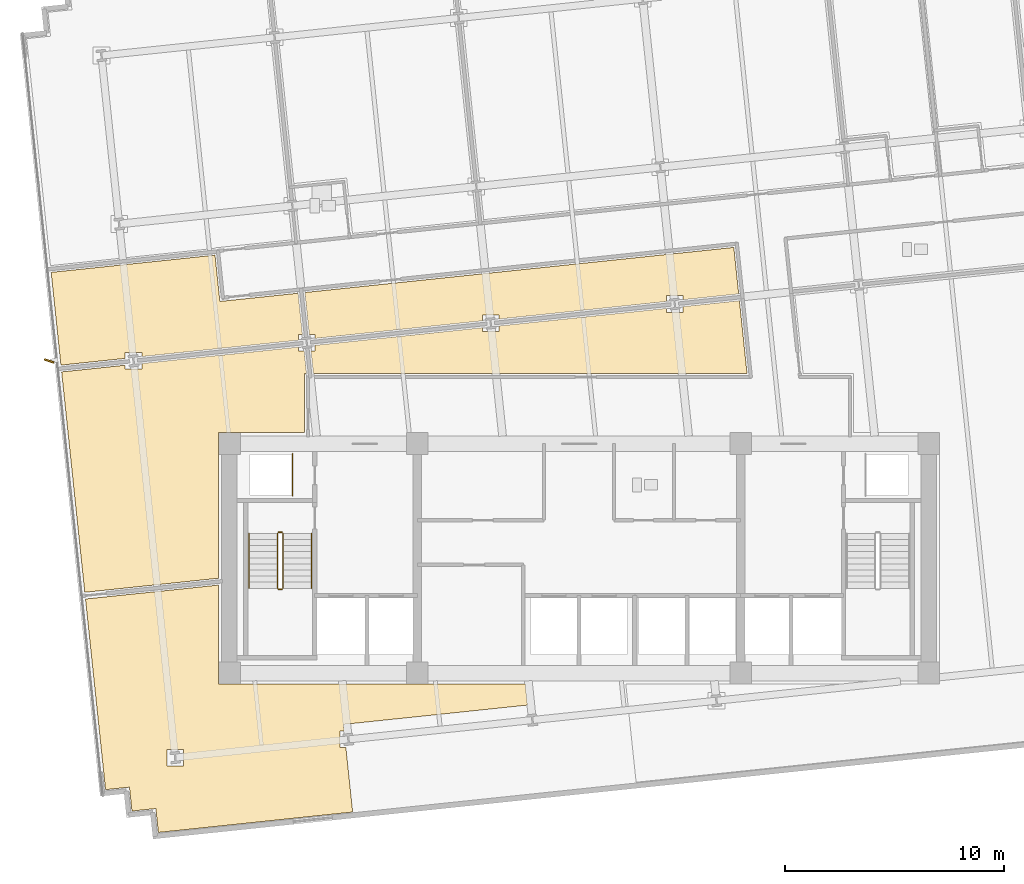
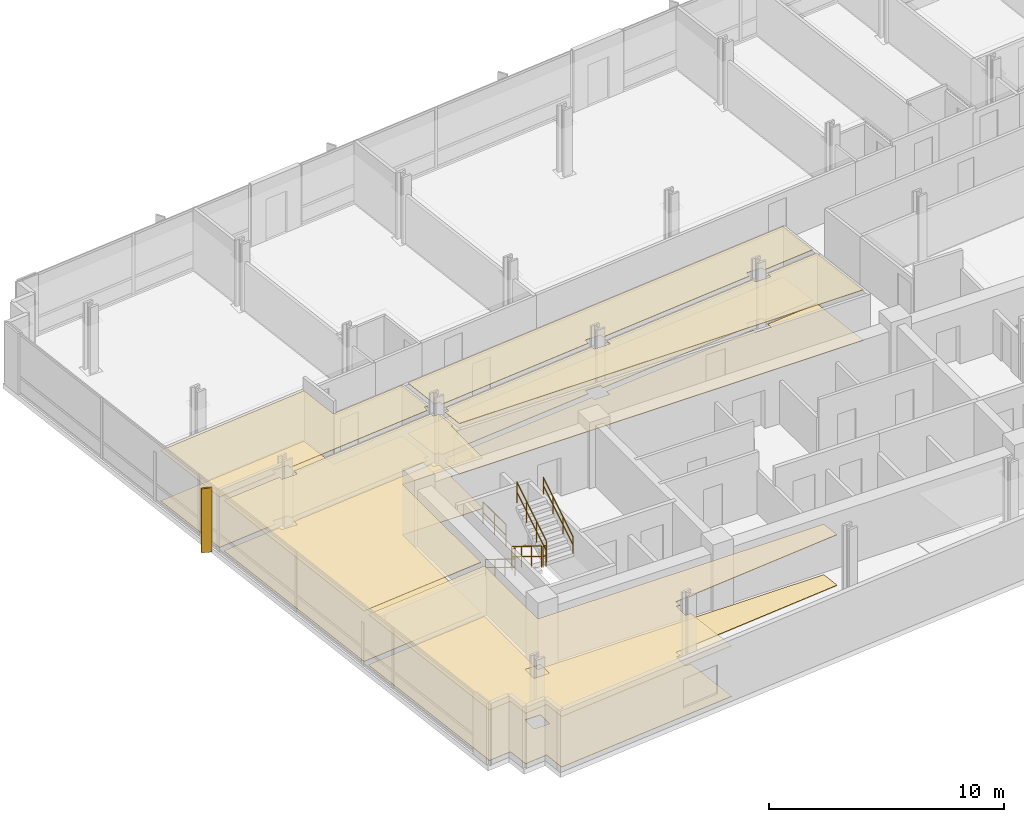
# One storey, part 17 of 20: 10 coverings, 7 railings, 1 shading device.
"""IFC4 building model written with IfcOpenShell, lengths in metres."""

from ifc_helpers import new_model, si_unit, direction, frame, origin, origin_2d, place, context, subcontext, project, spatial, polyline, rectangle, circle, outline, extrude, material, layer, layer_set, type_object, element, save


model = new_model("IFC4")

# Units and contexts
model_context = context("Model", 3, precision=1e-05, world=origin(), true_north=direction((0.0, 1.0)))
body_context = subcontext(model_context, "Body", "Model", "MODEL_VIEW")
ifc_project = project(units=[si_unit("LENGTHUNIT", "METRE"), si_unit("AREAUNIT", "SQUARE_METRE"), si_unit("VOLUMEUNIT", "CUBIC_METRE"), si_unit("PLANEANGLEUNIT", "RADIAN"), si_unit("MASSUNIT", "GRAM", prefix="KILO")], contexts=[model_context])

# Site, building, storey
site_placement = place(None, origin())
site = spatial("IfcSite", under=ifc_project, at=site_placement, CompositionType="ELEMENT")
building_placement = place(site_placement, origin())
building = spatial("IfcBuilding", under=site, at=building_placement, Name="Solmavex Isthmus Hotel", CompositionType="ELEMENT")
storey_placement = place(building_placement, frame((0.0, 0.0, 109.800048828125)))
storey = spatial("IfcBuildingStorey", under=building, at=storey_placement, Name="L29", CompositionType="ELEMENT", Elevation=109.800048828125)

# Coverings
ifc_material_1 = material(Name="Gypsum plasterboard lining", Category="gypsum")
ifc_layer_1 = layer(ifc_material_1, 0.030029296875)
ifc_layer_set_1 = layer_set([ifc_layer_1], Name="Gypsum plasterboard lining")
covering_type_1 = type_object("IfcCoveringType", Name="COV-CEIL-GYP", PredefinedType="CEILING", material=ifc_layer_set_1)
covering_1_placement = place(storey_placement, frame((0.0, 0.0, 2.619873046875)))
element("IfcCovering", 1, at=covering_1_placement, inside=storey, type_object=covering_type_1, Name="Suspended Acoustic Ceiling L29-FL08", PredefinedType="CEILING", context=body_context, shape_type="SweptSolid", body=[
    extrude(outline(polyline([(-12.8388671875, 2.234619140625), (-12.8388671875, 2.49853515625), (-12.654541015625, 2.49853515625), (-12.852783203125, 4.384765625), (-16.43310546875, 4.008544921875), (-16.65576171875, 6.126953125), (-24.15234375, 5.3388671875), (-23.7060546875, 1.09228515625), (-20.76318359375, 1.401611328125), (-20.76318359375, 1.665771484375), (-20.003173828125, 1.665771484375), (-20.003173828125, 1.4814453125), (-12.8388671875, 2.234619140625)])), origin(), (0.0, 0.0, 1.0), 0.030029296875),
])
covering_2_placement = place(storey_placement, frame((0.0, 0.0, 2.619873046875)))
element("IfcCovering", 2, at=covering_2_placement, inside=storey, type_object=covering_type_1, Name="Suspended Acoustic Ceiling L29-FL09", PredefinedType="CEILING", context=body_context, shape_type="SweptSolid", body=[
    extrude(outline(polyline([(4.00048828125, 4.00439453125), (4.00048828125, 4.2685546875), (4.760498046875, 4.2685546875), (4.760498046875, 4.084228515625), (7.30615234375, 4.351806640625), (7.082275390625, 6.480224609375), (-12.54443359375, 4.417236328125), (-12.3427734375, 2.49853515625), (-12.078857421875, 2.49853515625), (-12.078857421875, 2.314453125), (-4.419189453125, 3.119384765625), (-4.419189453125, 3.383544921875), (-3.6591796875, 3.383544921875), (-3.6591796875, 3.199462890625), (4.00048828125, 4.00439453125)])), origin(), (0.0, 0.0, 1.0), 0.030029296875),
])
covering_3_placement = place(storey_placement, frame((0.0, 0.0, 2.619873046875)))
element("IfcCovering", 3, at=covering_3_placement, inside=storey, type_object=covering_type_1, Name="Suspended Acoustic Ceiling L29-FL10", PredefinedType="CEILING", context=body_context, shape_type="SweptSolid", body=[
    extrude(outline(polyline([(-12.078857421875, 2.002685546875), (-12.078857421875, 1.738525390625), (-12.262939453125, 1.738525390625), (-12.154296875, 0.705078125), (7.689453125, 0.705078125), (7.33837890625, 4.04345703125), (4.760498046875, 3.7724609375), (4.760498046875, 3.508544921875), (4.00048828125, 3.508544921875), (4.00048828125, 3.692626953125), (-3.6591796875, 2.8876953125), (-3.6591796875, 2.62353515625), (-4.419189453125, 2.62353515625), (-4.419189453125, 2.807861328125), (-12.078857421875, 2.002685546875)])), origin(), (0.0, 0.0, 1.0), 0.030029296875),
])
covering_4_placement = place(storey_placement, frame((0.0, 0.0, 2.619873046875)))
element("IfcCovering", 4, at=covering_4_placement, inside=storey, type_object=covering_type_1, Name="Suspended Acoustic Ceiling L29-FL11", PredefinedType="CEILING", context=body_context, shape_type="SweptSolid", body=[
    extrude(outline(polyline([(-20.003173828125, 1.169921875), (-20.003173828125, 0.90576171875), (-20.76318359375, 0.90576171875), (-20.76318359375, 1.08984375), (-23.673583984375, 0.783935546875), (-23.135986328125, -4.332763671875), (-22.61376953125, -9.300537109375), (-16.5048828125, -8.658447265625), (-16.5048828125, -1.9951171875), (-12.554931640625, -1.9951171875), (-12.554931640625, 0.705078125), (-12.466064453125, 0.705078125), (-12.57470703125, 1.738525390625), (-12.8388671875, 1.738525390625), (-12.8388671875, 1.9228515625), (-20.003173828125, 1.169921875)])), origin(), (0.0, 0.0, 1.0), 0.030029296875),
])
covering_5_placement = place(storey_placement, frame((0.0, 0.0, 2.619873046875)))
element("IfcCovering", 5, at=covering_5_placement, inside=storey, type_object=covering_type_1, Name="Suspended Acoustic Ceiling L29-FL13", PredefinedType="CEILING", context=body_context, shape_type="SweptSolid", body=[
    extrude(outline(polyline([(-10.6669921875, -16.411376953125), (-10.93115234375, -16.411376953125), (-10.93115234375, -15.6513671875), (-10.746826171875, -15.6513671875), (-10.779052734375, -15.346435546875), (-2.359375, -14.46142578125), (-2.4599609375, -13.5048828125), (-16.5048828125, -13.5048828125), (-16.5048828125, -8.969970703125), (-22.581298828125, -9.608642578125), (-21.83984375, -16.664794921875), (-21.7509765625, -17.51025390625), (-21.66455078125, -18.33056640625), (-20.57080078125, -18.2158203125), (-20.455810546875, -19.3095703125), (-19.36181640625, -19.194580078125), (-19.246826171875, -20.28857421875), (-18.42626953125, -20.202392578125), (-10.357666015625, -19.3544921875), (-10.6669921875, -16.411376953125)]), holes=[polyline([(-18.85546875, -17.244384765625), (-18.85546875, -16.484375), (-18.095458984375, -16.484375), (-18.095458984375, -17.244384765625), (-18.85546875, -17.244384765625)])]), origin(), (0.0, 0.0, 1.0), 0.030029296875),
])
ifc_material_2 = material(Name="Travertine natural stone", Category="masonry")
ifc_layer_2 = layer(ifc_material_2, 0.02490234375)
ifc_layer_set_2 = layer_set([ifc_layer_2], Name="Travertine natural stone")
covering_type_2 = type_object("IfcCoveringType", Name="COV-FLOR-STN", PredefinedType="FLOORING", material=ifc_layer_set_2)
covering_6_placement = place(storey_placement, origin())
element("IfcCovering", 6, at=covering_6_placement, inside=storey, type_object=covering_type_2, Name="Stone and Timber Floor Finish L29-FL08", PredefinedType="FLOORING", context=body_context, shape_type="SweptSolid", body=[
    extrude(outline(polyline([(-12.8388671875, 2.234619140625), (-12.8388671875, 2.49853515625), (-12.654541015625, 2.49853515625), (-12.852783203125, 4.384765625), (-16.43310546875, 4.008544921875), (-16.65576171875, 6.126953125), (-24.15234375, 5.3388671875), (-23.7060546875, 1.09228515625), (-20.76318359375, 1.401611328125), (-20.76318359375, 1.665771484375), (-20.003173828125, 1.665771484375), (-20.003173828125, 1.4814453125), (-12.8388671875, 2.234619140625)])), origin(), (0.0, 0.0, 1.0), 0.02490234375),
])
covering_7_placement = place(storey_placement, origin())
element("IfcCovering", 7, at=covering_7_placement, inside=storey, type_object=covering_type_2, Name="Stone and Timber Floor Finish L29-FL09", PredefinedType="FLOORING", context=body_context, shape_type="SweptSolid", body=[
    extrude(outline(polyline([(4.00048828125, 4.00439453125), (4.00048828125, 4.2685546875), (4.760498046875, 4.2685546875), (4.760498046875, 4.084228515625), (7.30615234375, 4.351806640625), (7.082275390625, 6.480224609375), (-12.54443359375, 4.417236328125), (-12.3427734375, 2.49853515625), (-12.078857421875, 2.49853515625), (-12.078857421875, 2.314453125), (-4.419189453125, 3.119384765625), (-4.419189453125, 3.383544921875), (-3.6591796875, 3.383544921875), (-3.6591796875, 3.199462890625), (4.00048828125, 4.00439453125)])), origin(), (0.0, 0.0, 1.0), 0.02490234375),
])
covering_8_placement = place(storey_placement, origin())
element("IfcCovering", 8, at=covering_8_placement, inside=storey, type_object=covering_type_2, Name="Stone and Timber Floor Finish L29-FL10", PredefinedType="FLOORING", context=body_context, shape_type="SweptSolid", body=[
    extrude(outline(polyline([(-12.078857421875, 2.002685546875), (-12.078857421875, 1.738525390625), (-12.262939453125, 1.738525390625), (-12.154296875, 0.705078125), (7.689453125, 0.705078125), (7.33837890625, 4.04345703125), (4.760498046875, 3.7724609375), (4.760498046875, 3.508544921875), (4.00048828125, 3.508544921875), (4.00048828125, 3.692626953125), (-3.6591796875, 2.8876953125), (-3.6591796875, 2.62353515625), (-4.419189453125, 2.62353515625), (-4.419189453125, 2.807861328125), (-12.078857421875, 2.002685546875)])), origin(), (0.0, 0.0, 1.0), 0.02490234375),
])
covering_9_placement = place(storey_placement, origin())
element("IfcCovering", 9, at=covering_9_placement, inside=storey, type_object=covering_type_2, Name="Stone and Timber Floor Finish L29-FL11", PredefinedType="FLOORING", context=body_context, shape_type="SweptSolid", body=[
    extrude(outline(polyline([(-20.003173828125, 1.169921875), (-20.003173828125, 0.90576171875), (-20.76318359375, 0.90576171875), (-20.76318359375, 1.08984375), (-23.673583984375, 0.783935546875), (-23.135986328125, -4.332763671875), (-22.61376953125, -9.300537109375), (-16.5048828125, -8.658447265625), (-16.5048828125, -1.9951171875), (-12.554931640625, -1.9951171875), (-12.554931640625, 0.705078125), (-12.466064453125, 0.705078125), (-12.57470703125, 1.738525390625), (-12.8388671875, 1.738525390625), (-12.8388671875, 1.9228515625), (-20.003173828125, 1.169921875)])), origin(), (0.0, 0.0, 1.0), 0.02490234375),
])
covering_10_placement = place(storey_placement, origin())
element("IfcCovering", 10, at=covering_10_placement, inside=storey, type_object=covering_type_2, Name="Stone and Timber Floor Finish L29-FL13", PredefinedType="FLOORING", context=body_context, shape_type="SweptSolid", body=[
    extrude(outline(polyline([(-10.6669921875, -16.411376953125), (-10.93115234375, -16.411376953125), (-10.93115234375, -15.6513671875), (-10.746826171875, -15.6513671875), (-10.779052734375, -15.346435546875), (-2.359375, -14.46142578125), (-2.4599609375, -13.5048828125), (-16.5048828125, -13.5048828125), (-16.5048828125, -8.969970703125), (-22.581298828125, -9.608642578125), (-21.83984375, -16.664794921875), (-21.7509765625, -17.51025390625), (-21.66455078125, -18.33056640625), (-20.57080078125, -18.2158203125), (-20.455810546875, -19.3095703125), (-19.36181640625, -19.194580078125), (-19.246826171875, -20.28857421875), (-18.42626953125, -20.202392578125), (-10.357666015625, -19.3544921875), (-10.6669921875, -16.411376953125)]), holes=[polyline([(-18.85546875, -17.244384765625), (-18.85546875, -16.484375), (-18.095458984375, -16.484375), (-18.095458984375, -17.244384765625), (-18.85546875, -17.244384765625)])]), origin(), (0.0, 0.0, 1.0), 0.02490234375),
])

# Railings
ifc_material_3 = material(Name="Clear low-E laminated glass", Category="glass")
ifc_layer_3 = layer(ifc_material_3, 0.080078125)
ifc_layer_set_3 = layer_set([ifc_layer_3], Name="Clear low-E laminated glass")
railing_type_1 = type_object("IfcRailingType", Name="RAIL-ATRIUM-1120", PredefinedType="BALUSTRADE", material=ifc_layer_set_3)
railing_1_placement = place(storey_placement, frame((-13.10009765625, -4.89990234375, 0.0)))
element("IfcRailing", 11, at=railing_1_placement, inside=storey, type_object=railing_type_1, Name="Guardrail Balustrade L29-RSW-01", PredefinedType="BALUSTRADE", context=body_context, shape_type="SweptSolid", body=[
    extrude(circle(Radius=0.02392578125, at=origin_2d()), frame((0.0, 0.0, 1.1259765625), z_axis=(0.0, 1.0, 0.0), x_axis=(-1.0, 0.0, 0.0)), (0.0, 0.0, 1.0), 1.949951171875),
    extrude(circle(Radius=0.02392578125, at=origin_2d()), frame((0.0, 0.0, 0.574951171875), z_axis=(0.0, 1.0, 0.0), x_axis=(-1.0, 0.0, 0.0)), (0.0, 0.0, 1.0), 1.949951171875),
    extrude(circle(Radius=0.02099609375, at=origin_2d()), origin(), (0.0, 0.0, 1.0), 1.101806640625),
    extrude(circle(Radius=0.02099609375, at=origin_2d()), frame((0.0, 0.97509765625, 0.0)), (0.0, 0.0, 1.0), 1.101806640625),
    extrude(circle(Radius=0.02099609375, at=origin_2d()), frame((0.0, 1.949951171875, 0.0)), (0.0, 0.0, 1.0), 1.101806640625),
])
ifc_material_4 = material(Name="Stainless steel 316", Category="steel")
ifc_layer_4 = layer(ifc_material_4, 0.06005859375)
ifc_layer_set_4 = layer_set([ifc_layer_4], Name="Stainless steel 316")
railing_type_2 = type_object("IfcRailingType", Name="RAIL-STAIR-GD", PredefinedType="GUARDRAIL", material=ifc_layer_set_4)
railing_2_placement = place(storey_placement, frame((-13.800048828125, -6.60009765625, 0.17236328125)))
element("IfcRailing", 12, at=railing_2_placement, inside=storey, type_object=railing_type_2, Name="L29 ST-1 stair guard 1", PredefinedType="GUARDRAIL", context=body_context, shape_type="SweptSolid", body=[
    extrude(circle(Radius=0.02392578125, at=origin_2d()), frame((0.0, 0.0, 1.09619140625), z_axis=(0.0, -0.851400495292, 0.524516154772), x_axis=(1.0, 0.0, 0.0)), (0.0, 0.0, 1.0), 2.9599609375),
    extrude(circle(Radius=0.02392578125, at=origin_2d()), frame((0.0, 0.0, 0.56005859375), z_axis=(0.0, -0.851400495292, 0.524516154772), x_axis=(1.0, 0.0, 0.0)), (0.0, 0.0, 1.0), 2.9599609375),
    extrude(circle(Radius=0.02099609375, at=origin_2d()), origin(), (0.0, 0.0, 1.0), 1.072021484375),
    extrude(circle(Radius=0.02099609375, at=origin_2d()), frame((0.0, -0.840087890625, 0.517578125)), (0.0, 0.0, 1.0), 1.072021484375),
    extrude(circle(Radius=0.02099609375, at=origin_2d()), frame((0.0, -1.679931640625, 1.034912109375)), (0.0, 0.0, 1.0), 1.072021484375),
    extrude(circle(Radius=0.02099609375, at=origin_2d()), frame((0.0, -2.52001953125, 1.552490234375)), (0.0, 0.0, 1.0), 1.072021484375),
])
railing_3_placement = place(storey_placement, frame((-13.75, -9.169921875, 1.724853515625)))
element("IfcRailing", 13, at=railing_3_placement, inside=storey, type_object=railing_type_2, Name="L29 ST-1 stair guard 2", PredefinedType="GUARDRAIL", context=body_context, shape_type="SweptSolid", body=[
    extrude(circle(Radius=0.02392578125, at=origin_2d()), frame((0.0, 0.0, 1.09619140625), z_axis=(1.0, 0.0, 0.0), x_axis=(0.0, 1.0, 0.0)), (0.0, 0.0, 1.0), 0.14990234375),
    extrude(circle(Radius=0.02392578125, at=origin_2d()), frame((0.0, 0.0, 0.56005859375), z_axis=(1.0, 0.0, 0.0), x_axis=(0.0, 1.0, 0.0)), (0.0, 0.0, 1.0), 0.14990234375),
    extrude(circle(Radius=0.02099609375, at=origin_2d()), origin(), (0.0, 0.0, 1.0), 1.072021484375),
    extrude(circle(Radius=0.02099609375, at=origin_2d()), frame((0.14990234375, 0.0, 0.0)), (0.0, 0.0, 1.0), 1.072021484375),
])
railing_4_placement = place(storey_placement, frame((-13.550048828125, -9.1201171875, 1.8974609375)))
element("IfcRailing", 14, at=railing_4_placement, inside=storey, type_object=railing_type_2, Name="L29 ST-1 stair guard 3", PredefinedType="GUARDRAIL", context=body_context, shape_type="SweptSolid", body=[
    extrude(circle(Radius=0.02392578125, at=origin_2d()), frame((0.0, 0.0, 1.09619140625), z_axis=(0.0, 0.851400495292, 0.524516154772), x_axis=(-1.0, 0.0, 0.0)), (0.0, 0.0, 1.0), 2.9599609375),
    extrude(circle(Radius=0.02392578125, at=origin_2d()), frame((0.0, 0.0, 0.56005859375), z_axis=(0.0, 0.851400495292, 0.524516154772), x_axis=(-1.0, 0.0, 0.0)), (0.0, 0.0, 1.0), 2.9599609375),
    extrude(circle(Radius=0.02099609375, at=origin_2d()), origin(), (0.0, 0.0, 1.0), 1.072021484375),
    extrude(circle(Radius=0.02099609375, at=origin_2d()), frame((0.0, 0.840087890625, 0.517578125)), (0.0, 0.0, 1.0), 1.072021484375),
    extrude(circle(Radius=0.02099609375, at=origin_2d()), frame((0.0, 1.679931640625, 1.034912109375)), (0.0, 0.0, 1.0), 1.072021484375),
    extrude(circle(Radius=0.02099609375, at=origin_2d()), frame((0.0, 2.52001953125, 1.552490234375)), (0.0, 0.0, 1.0), 1.072021484375),
])
railing_5_placement = place(storey_placement, frame((-13.75, -6.550048828125, 0.0)))
element("IfcRailing", 15, at=railing_5_placement, inside=storey, type_object=railing_type_2, Name="L29 ST-1 stair guard 4", PredefinedType="GUARDRAIL", context=body_context, shape_type="SweptSolid", body=[
    extrude(circle(Radius=0.02392578125, at=origin_2d()), frame((0.0, 0.0, 1.09619140625), z_axis=(1.0, 0.0, 0.0), x_axis=(0.0, 1.0, 0.0)), (0.0, 0.0, 1.0), 0.14990234375),
    extrude(circle(Radius=0.02392578125, at=origin_2d()), frame((0.0, 0.0, 0.56005859375), z_axis=(1.0, 0.0, 0.0), x_axis=(0.0, 1.0, 0.0)), (0.0, 0.0, 1.0), 0.14990234375),
    extrude(circle(Radius=0.02099609375, at=origin_2d()), origin(), (0.0, 0.0, 1.0), 1.072021484375),
    extrude(circle(Radius=0.02099609375, at=origin_2d()), frame((0.14990234375, 0.0, 0.0)), (0.0, 0.0, 1.0), 1.072021484375),
])
ifc_layer_5 = layer(ifc_material_4, 0.050048828125)
ifc_layer_set_5 = layer_set([ifc_layer_5], Name="Stainless steel 316")
railing_type_3 = type_object("IfcRailingType", Name="RAIL-STAIR-HR", PredefinedType="HANDRAIL", material=ifc_layer_set_5)
railing_6_placement = place(storey_placement, frame((-15.10009765625, -6.60009765625, 0.17236328125)))
element("IfcRailing", 16, at=railing_6_placement, inside=storey, type_object=railing_type_3, Name="L29 ST-1 stair handrail 1", PredefinedType="HANDRAIL", context=body_context, shape_type="SweptSolid", body=[
    extrude(circle(Radius=0.02392578125, at=origin_2d()), frame((0.0, 0.0, 0.8759765625), z_axis=(0.0, -0.851400495292, 0.524516154772), x_axis=(1.0, 0.0, 0.0)), (0.0, 0.0, 1.0), 2.9599609375),
    extrude(circle(Radius=0.02392578125, at=origin_2d()), frame((0.0, 0.0, 0.449951171875), z_axis=(0.0, -0.851400495292, 0.524516154772), x_axis=(1.0, 0.0, 0.0)), (0.0, 0.0, 1.0), 2.9599609375),
    extrude(circle(Radius=0.02099609375, at=origin_2d()), origin(), (0.0, 0.0, 1.0), 0.851806640625),
    extrude(circle(Radius=0.02099609375, at=origin_2d()), frame((0.0, -0.840087890625, 0.517578125)), (0.0, 0.0, 1.0), 0.851806640625),
    extrude(circle(Radius=0.02099609375, at=origin_2d()), frame((0.0, -1.679931640625, 1.034912109375)), (0.0, 0.0, 1.0), 0.851806640625),
    extrude(circle(Radius=0.02099609375, at=origin_2d()), frame((0.0, -2.52001953125, 1.552490234375)), (0.0, 0.0, 1.0), 0.851806640625),
])
railing_7_placement = place(storey_placement, frame((-12.25, -9.1201171875, 1.8974609375)))
element("IfcRailing", 17, at=railing_7_placement, inside=storey, type_object=railing_type_3, Name="L29 ST-1 stair handrail 2", PredefinedType="HANDRAIL", context=body_context, shape_type="SweptSolid", body=[
    extrude(circle(Radius=0.02392578125, at=origin_2d()), frame((0.0, 0.0, 0.8759765625), z_axis=(0.0, 0.851400495292, 0.524516154772), x_axis=(-1.0, 0.0, 0.0)), (0.0, 0.0, 1.0), 2.9599609375),
    extrude(circle(Radius=0.02392578125, at=origin_2d()), frame((0.0, 0.0, 0.449951171875), z_axis=(0.0, 0.851400495292, 0.524516154772), x_axis=(-1.0, 0.0, 0.0)), (0.0, 0.0, 1.0), 2.9599609375),
    extrude(circle(Radius=0.02099609375, at=origin_2d()), origin(), (0.0, 0.0, 1.0), 0.851806640625),
    extrude(circle(Radius=0.02099609375, at=origin_2d()), frame((0.0, 0.840087890625, 0.517578125)), (0.0, 0.0, 1.0), 0.851806640625),
    extrude(circle(Radius=0.02099609375, at=origin_2d()), frame((0.0, 1.679931640625, 1.034912109375)), (0.0, 0.0, 1.0), 0.851806640625),
    extrude(circle(Radius=0.02099609375, at=origin_2d()), frame((0.0, 2.52001953125, 1.552490234375)), (0.0, 0.0, 1.0), 0.851806640625),
])

# Shading device
ifc_material_5 = material(Name="Aluminium alloy 6063-T6", Category="aluminium")
shading_device_type = type_object("IfcShadingDeviceType", Name="SHD-FIN-BRONZE", PredefinedType="USERDEFINED", material=ifc_material_5)
shading_device_placement = place(storey_placement, frame((-24.243896484375, 1.2822265625, -0.14013671875), z_axis=(0.0, 0.0, 1.0), x_axis=(-0.951056516295, 0.309016994375, 0.0)))
element("IfcShadingDevice", 18, at=shading_device_placement, inside=storey, type_object=shading_device_type, Name="Anodised Aluminium Solar Fin L29-W1", ObjectType="SOLAR_FIN", PredefinedType="USERDEFINED", context=body_context, shape_type="SweptSolid", body=[
    extrude(rectangle(XDim=0.449951171875, YDim=0.080078125, at=origin_2d()), origin(), (0.0, 0.0, 1.0), 3.330078125),
])

save(model, "model.ifc")
